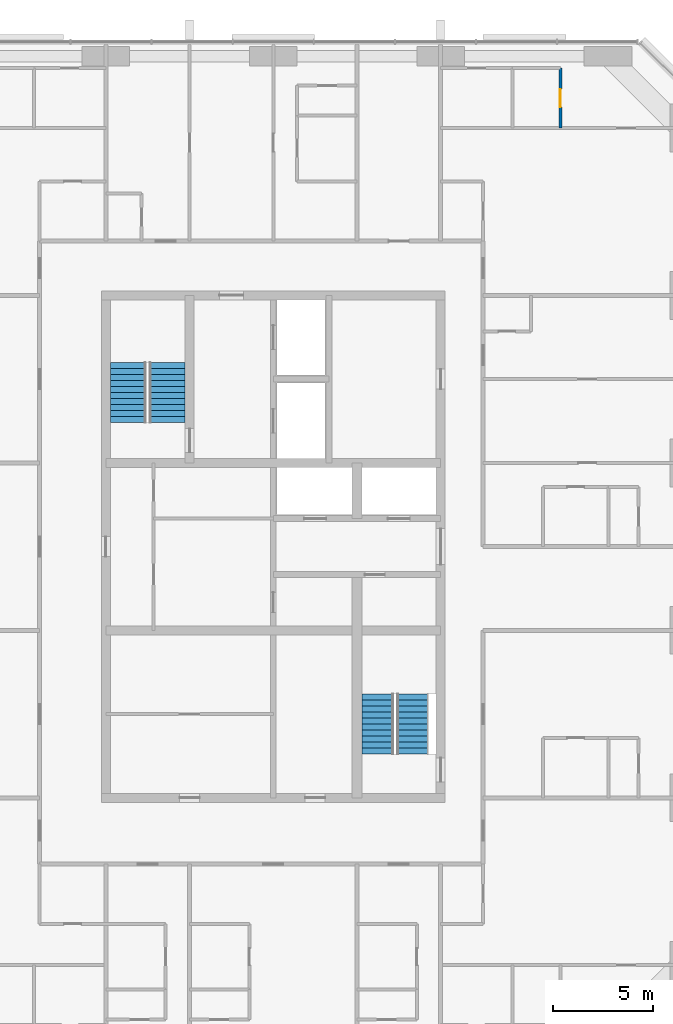
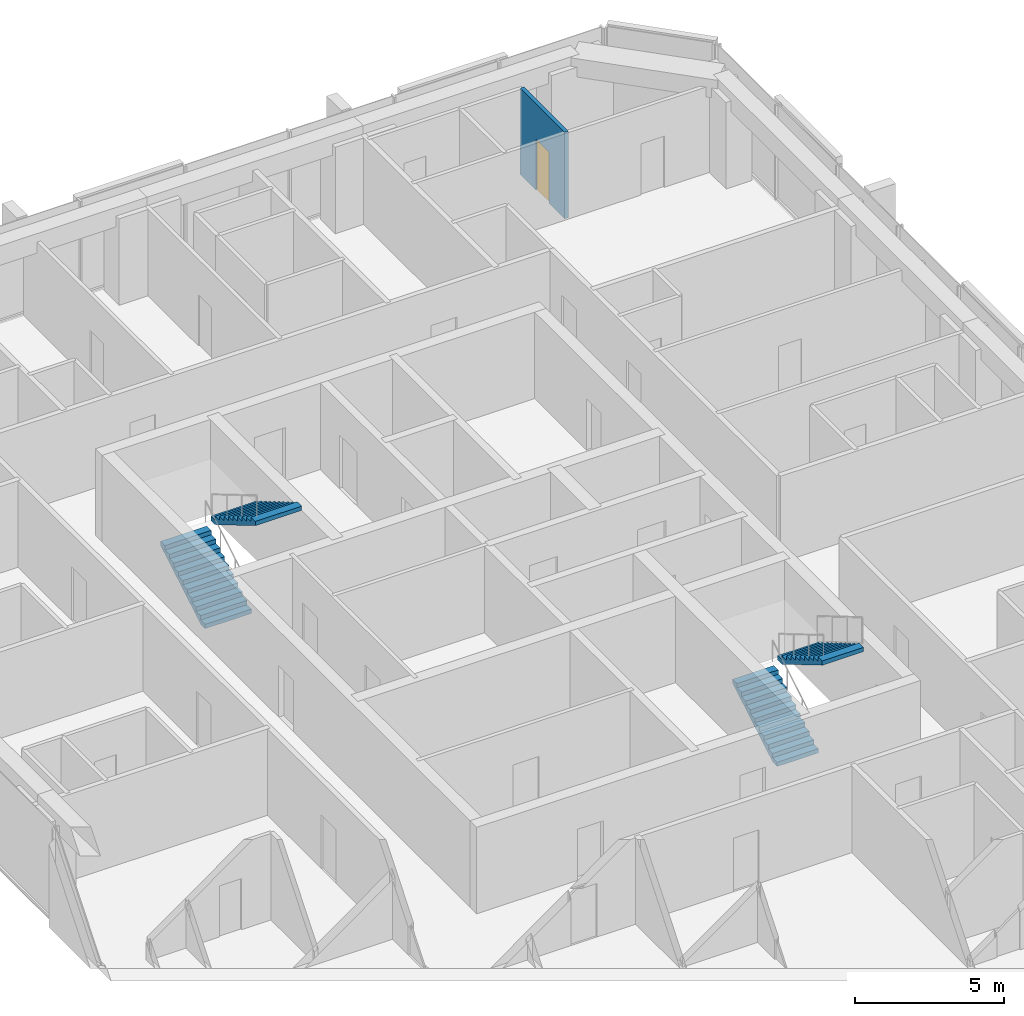
# One storey, part 11 of 12: 4 stair flights, 1 door, 1 wall, 1 opening, 2 elements without a shape of their own.
"""IFC4 building model written with IfcOpenShell, lengths in metres."""

from ifc_helpers import new_model, si_unit, direction, frame, frame_2d, origin, place, context, subcontext, project, spatial, polyline, rectangle, outline, extrude, material, layer, layer_set, type_object, element, fill, aggregate, save


model = new_model("IFC4")

# Units and contexts
model_context = context("Model", 3, precision=1e-05, world=origin(), true_north=direction((0.0, 1.0)))
body_context = subcontext(model_context, "Body", "Model", "MODEL_VIEW")
ifc_project = project(units=[si_unit("LENGTHUNIT", "METRE"), si_unit("AREAUNIT", "SQUARE_METRE"), si_unit("VOLUMEUNIT", "CUBIC_METRE"), si_unit("PLANEANGLEUNIT", "RADIAN"), si_unit("MASSUNIT", "GRAM", prefix="KILO")], contexts=[model_context])

# Site, building, storey
site_placement = place(None, origin())
site = spatial("IfcSite", under=ifc_project, at=site_placement, CompositionType="ELEMENT")
building_placement = place(site_placement, origin())
building = spatial("IfcBuilding", under=site, at=building_placement, Name="Dunama Terrace Hotel", CompositionType="ELEMENT")
storey_placement = place(building_placement, frame((0.0, 0.0, 249.0)))
storey = spatial("IfcBuildingStorey", under=building, at=storey_placement, Name="L64", CompositionType="ELEMENT", Elevation=249.0)

# Wall, opening, door
ifc_material_1 = material(Name="Gypsum board partition", Category="masonry")
ifc_layer = layer(ifc_material_1, 0.14990234375)
ifc_layer_set = layer_set([ifc_layer], Name="Room partition 150")
wall_type = type_object("IfcWallType", Name="Room partition 150", PredefinedType="PARTITIONING", material=ifc_layer_set)
wall_placement = place(storey_placement, frame((48.0, 50.39990234375, 0.0), z_axis=(0.0, 0.0, 1.0), x_axis=(0.0, 1.0, 0.0)))
wall = element("IfcWall", 1, at=wall_placement, inside=storey, type_object=wall_type, Name="Room partition 150 L64", PredefinedType="PARTITIONING", context=body_context, shape_type="SweptSolid", body=[
    extrude(rectangle(XDim=3.0, YDim=0.14990234375, at=frame_2d((1.5, 0.0))), origin(), (0.0, 0.0, 1.0), 3.550048828125),
])
opening_placement = place(wall_placement, frame((1.050048828125, 0.0, 0.0)))
opening = element("IfcOpeningElement", 2, at=opening_placement, cuts=wall, Name="Opening L62-64-055", PredefinedType="OPENING", context=body_context, shape_type="SweptSolid", body=[
    extrude(rectangle(XDim=0.89990234375, YDim=2.10009765625, at=frame_2d((0.449951171875, 1.050048828125))), frame((0.0, 0.0849609375, 0.0), z_axis=(0.0, -1.0, 0.0), x_axis=(1.0, 0.0, 0.0)), (0.0, 0.0, 1.0), 0.169921875),
])
ifc_material_2 = material(Name="Timber door with steel frame", Category="steel")
door_type = type_object("IfcDoorType", Name="Suite internal door 900", OperationType="SINGLE_SWING_LEFT", PredefinedType="DOOR", material=ifc_material_2)
door_placement = place(opening_placement, origin())
door = element("IfcDoor", 3, at=door_placement, inside=storey, type_object=door_type, Name="Door to dressing room L62-64-055, type D16", OperationType="SINGLE_SWING_LEFT", OverallHeight=2.10009765625, OverallWidth=0.89990234375, PredefinedType="DOOR", context=body_context, shape_type="SweptSolid", body=[
    extrude(rectangle(XDim=0.89990234375, YDim=2.10009765625, at=frame_2d((0.449951171875, 1.050048828125))), frame((0.0, 0.02490234375, 0.0), z_axis=(0.0, -1.0, 0.0), x_axis=(1.0, 0.0, 0.0)), (0.0, 0.0, 1.0), 0.050048828125),
])
fill(opening, door)

# Stair, stair flights
ifc_material_3 = material(Name="Concrete C40/50", Category="concrete")
stair_type_1 = type_object("IfcStairType", Name="Stair ST1-3900-1800", PredefinedType="HALF_TURN_STAIR", material=ifc_material_3)
stair_1_placement = place(storey_placement, origin())
stair_1 = element("IfcStair", 4, at=stair_1_placement, inside=storey, type_object=stair_type_1, Name="Stair ST1 L64", PredefinedType="HALF_TURN_STAIR")
ifc_material_4 = material(Name="Concrete C40/50", Category="concrete")
stair_flight_type_1 = type_object("IfcStairFlightType", Name="Stair flight ST1-3900-1800", PredefinedType="STRAIGHT", material=ifc_material_4)
stair_flight_1_placement = place(storey_placement, frame((26.324951171875, 35.625, 0.0), z_axis=(0.0, 0.0, 1.0), x_axis=(0.0, 1.0, 0.0)))
stair_flight_1 = element("IfcStairFlight", 5, at=stair_flight_1_placement, type_object=stair_flight_type_1, Name="ST1 flight 1", NumberOfRisers=11, NumberOfTreads=10, PredefinedType="STRAIGHT", RiserHeight=0.177272727, TreadLength=0.3, context=body_context, shape_type="SweptSolid", body=[
    extrude(outline(polyline([(0.0, 0.0), (0.0, 0.17724609375), (0.300048828125, 0.17724609375), (0.300048828125, 0.3544921875), (0.60009765625, 0.3544921875), (0.60009765625, 0.53173828125), (0.89990234375, 0.53173828125), (0.89990234375, 0.708984375), (1.199951171875, 0.708984375), (1.199951171875, 0.886474609375), (1.5, 0.886474609375), (1.5, 1.063720703125), (1.800048828125, 1.063720703125), (1.800048828125, 1.240966796875), (2.10009765625, 1.240966796875), (2.10009765625, 1.418212890625), (2.39990234375, 1.418212890625), (2.39990234375, 1.595458984375), (2.699951171875, 1.595458984375), (2.699951171875, 1.772705078125), (3.0, 1.772705078125), (3.0, 1.949951171875), (3.0, 1.5986328125), (0.294677734375, 0.0), (0.0, 0.0)])), frame((0.0, 0.89990234375, 0.0), z_axis=(0.0, -1.0, 0.0), x_axis=(1.0, 0.0, 0.0)), (0.0, 0.0, 1.0), 1.800048828125),
])
stair_flight_2_placement = place(storey_placement, frame((28.27490234375, 38.625, 1.949951171875), z_axis=(0.0, 0.0, 1.0), x_axis=(0.0, -1.0, 0.0)))
stair_flight_2 = element("IfcStairFlight", 6, at=stair_flight_2_placement, type_object=stair_flight_type_1, Name="ST1 flight 2", NumberOfRisers=11, NumberOfTreads=10, PredefinedType="STRAIGHT", RiserHeight=0.177272727, TreadLength=0.3, context=body_context, shape_type="SweptSolid", body=[
    extrude(outline(polyline([(0.0, 0.0), (0.0, 0.17724609375), (0.300048828125, 0.17724609375), (0.300048828125, 0.3544921875), (0.60009765625, 0.3544921875), (0.60009765625, 0.53173828125), (0.89990234375, 0.53173828125), (0.89990234375, 0.708984375), (1.199951171875, 0.708984375), (1.199951171875, 0.886474609375), (1.5, 0.886474609375), (1.5, 1.063720703125), (1.800048828125, 1.063720703125), (1.800048828125, 1.240966796875), (2.10009765625, 1.240966796875), (2.10009765625, 1.418212890625), (2.39990234375, 1.418212890625), (2.39990234375, 1.595458984375), (2.699951171875, 1.595458984375), (2.699951171875, 1.772705078125), (3.0, 1.772705078125), (3.0, 1.949951171875), (3.0, 1.5986328125), (0.294677734375, 0.0), (0.0, 0.0)])), frame((0.0, 0.89990234375, 0.0), z_axis=(0.0, -1.0, 0.0), x_axis=(1.0, 0.0, 0.0)), (0.0, 0.0, 1.0), 1.800048828125),
])
aggregate(stair_1, [stair_flight_1, stair_flight_2])

ifc_material_5 = material(Name="Concrete C40/50", Category="concrete")
stair_type_2 = type_object("IfcStairType", Name="Stair ST2-3900-1600", PredefinedType="HALF_TURN_STAIR", material=ifc_material_5)
stair_2_placement = place(storey_placement, origin())
stair_2 = element("IfcStair", 7, at=stair_2_placement, inside=storey, type_object=stair_type_2, Name="Stair ST2 L64", PredefinedType="HALF_TURN_STAIR")
ifc_material_6 = material(Name="Concrete C40/50", Category="concrete")
stair_flight_type_2 = type_object("IfcStairFlightType", Name="Stair flight ST2-3900-1600", PredefinedType="STRAIGHT", material=ifc_material_6)
stair_flight_3_placement = place(storey_placement, frame((38.85009765625, 19.0, 0.0), z_axis=(0.0, 0.0, 1.0), x_axis=(0.0, 1.0, 0.0)))
stair_flight_3 = element("IfcStairFlight", 8, at=stair_flight_3_placement, type_object=stair_flight_type_2, Name="ST2 flight 1", NumberOfRisers=11, NumberOfTreads=10, PredefinedType="STRAIGHT", RiserHeight=0.177272727, TreadLength=0.3, context=body_context, shape_type="SweptSolid", body=[
    extrude(outline(polyline([(0.0, 0.0), (0.0, 0.17724609375), (0.300048828125, 0.17724609375), (0.300048828125, 0.3544921875), (0.60009765625, 0.3544921875), (0.60009765625, 0.53173828125), (0.89990234375, 0.53173828125), (0.89990234375, 0.708984375), (1.199951171875, 0.708984375), (1.199951171875, 0.886474609375), (1.5, 0.886474609375), (1.5, 1.063720703125), (1.800048828125, 1.063720703125), (1.800048828125, 1.240966796875), (2.10009765625, 1.240966796875), (2.10009765625, 1.418212890625), (2.39990234375, 1.418212890625), (2.39990234375, 1.595458984375), (2.699951171875, 1.595458984375), (2.699951171875, 1.772705078125), (3.0, 1.772705078125), (3.0, 1.949951171875), (3.0, 1.5986328125), (0.294677734375, 0.0), (0.0, 0.0)])), frame((0.0, 0.800048828125, 0.0), z_axis=(0.0, -1.0, 0.0), x_axis=(1.0, 0.0, 0.0)), (0.0, 0.0, 1.0), 1.60009765625),
])
stair_flight_4_placement = place(storey_placement, frame((40.60009765625, 22.0, 1.949951171875), z_axis=(0.0, 0.0, 1.0), x_axis=(0.0, -1.0, 0.0)))
stair_flight_4 = element("IfcStairFlight", 9, at=stair_flight_4_placement, type_object=stair_flight_type_2, Name="ST2 flight 2", NumberOfRisers=11, NumberOfTreads=10, PredefinedType="STRAIGHT", RiserHeight=0.177272727, TreadLength=0.3, context=body_context, shape_type="SweptSolid", body=[
    extrude(outline(polyline([(0.0, 0.0), (0.0, 0.17724609375), (0.300048828125, 0.17724609375), (0.300048828125, 0.3544921875), (0.60009765625, 0.3544921875), (0.60009765625, 0.53173828125), (0.89990234375, 0.53173828125), (0.89990234375, 0.708984375), (1.199951171875, 0.708984375), (1.199951171875, 0.886474609375), (1.5, 0.886474609375), (1.5, 1.063720703125), (1.800048828125, 1.063720703125), (1.800048828125, 1.240966796875), (2.10009765625, 1.240966796875), (2.10009765625, 1.418212890625), (2.39990234375, 1.418212890625), (2.39990234375, 1.595458984375), (2.699951171875, 1.595458984375), (2.699951171875, 1.772705078125), (3.0, 1.772705078125), (3.0, 1.949951171875), (3.0, 1.5986328125), (0.294677734375, 0.0), (0.0, 0.0)])), frame((0.0, 0.800048828125, 0.0), z_axis=(0.0, -1.0, 0.0), x_axis=(1.0, 0.0, 0.0)), (0.0, 0.0, 1.0), 1.60009765625),
])
aggregate(stair_2, [stair_flight_3, stair_flight_4])

save(model, "model.ifc")
